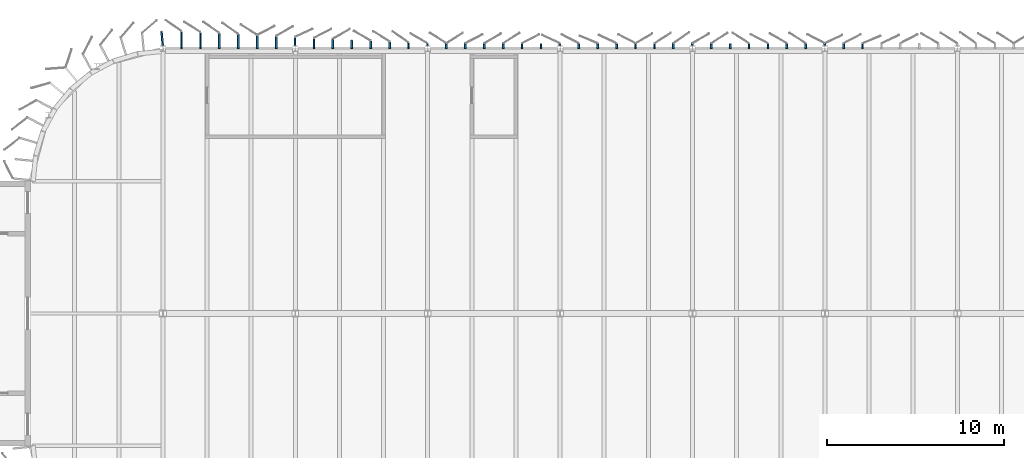
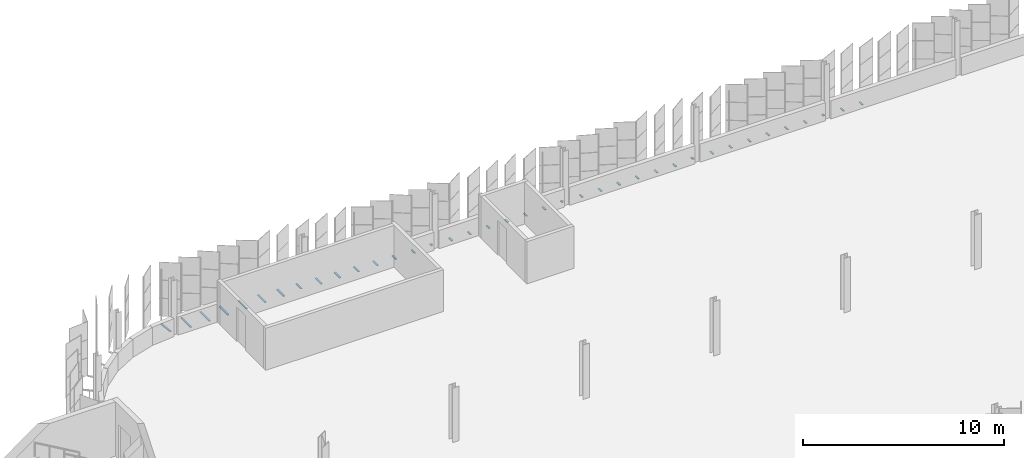
# One storey, part 175 of 199: 38 discrete accessories.
"""IFC4 building model written with IfcOpenShell, lengths in metres."""

from ifc_helpers import new_model, si_unit, direction, frame, origin, origin_2d, place, context, subcontext, project, spatial, rectangle, extrude, material, type_object, element, save


model = new_model("IFC4")

# Units and contexts
model_context = context("Model", 3, precision=1e-05, world=origin(), true_north=direction((0.0, 1.0)))
body_context = subcontext(model_context, "Body", "Model", "MODEL_VIEW")
ifc_project = project(units=[si_unit("LENGTHUNIT", "METRE"), si_unit("AREAUNIT", "SQUARE_METRE"), si_unit("VOLUMEUNIT", "CUBIC_METRE"), si_unit("PLANEANGLEUNIT", "RADIAN"), si_unit("MASSUNIT", "GRAM", prefix="KILO")], contexts=[model_context])

# Site, building, storey
site_placement = place(None, origin())
site = spatial("IfcSite", under=ifc_project, at=site_placement, CompositionType="ELEMENT")
building_placement = place(site_placement, origin())
building = spatial("IfcBuilding", under=site, at=building_placement, Name="Parallax Yard Mobility Hub", CompositionType="ELEMENT")
storey_placement = place(building_placement, frame((0.0, 0.0, 9.89990234375)))
storey = spatial("IfcBuildingStorey", under=building, at=storey_placement, Name="L03", CompositionType="ELEMENT", Elevation=9.89990234375)

# Discrete accessories
ifc_material = material(Name="Steel ASTM A36, hot-dip galvanised", Category="steel")
discrete_accessory_type = type_object("IfcDiscreteAccessoryType", Name="Hinge bracket plate 100x50", PredefinedType="BRACKET", material=ifc_material)
for number, where, z_axis, x_axis, name in (
    (1, (69.632568359375, 142.6416015625, -0.02490234375), (0.0, 0.0, 1.0), (0.0, 1.0, 0.0), "Hinge bracket plate bay 64.6 level L03"),
    (2, (68.56103515625, 142.6416015625, -0.02490234375), (0.0, 0.0, 1.0), (0.0, 1.0, 0.0), "Hinge bracket plate bay 64.7 level L03"),
):
    element("IfcDiscreteAccessory", number, at=place(storey_placement, frame(where, z_axis=z_axis, x_axis=x_axis)), inside=storey, type_object=discrete_accessory_type, Name=name, PredefinedType="BRACKET", context=body_context, shape_type="SweptSolid", body=[
        extrude(rectangle(XDim=0.2841796875, YDim=0.10009765625, at=origin_2d()), origin(), (0.0, 0.0, 1.0), 0.050048828125),
    ])
discrete_accessory_1_placement = place(storey_placement, frame((67.489501953125, 142.71826171875, -0.02490234375), z_axis=(0.0, 0.0, 1.0), x_axis=(0.0, 1.0, 0.0)))
element("IfcDiscreteAccessory", 3, at=discrete_accessory_1_placement, inside=storey, type_object=discrete_accessory_type, Name="Hinge bracket plate bay 65.1 level L03", PredefinedType="BRACKET", context=body_context, shape_type="SweptSolid", body=[
    extrude(rectangle(XDim=0.130615234375, YDim=0.10009765625, at=origin_2d()), origin(), (0.0, 0.0, 1.0), 0.050048828125),
])
for number, where, z_axis, x_axis, name in (
    (4, (66.41796875, 142.6416015625, -0.02490234375), (0.0, 0.0, 1.0), (0.0, 1.0, 0.0), "Hinge bracket plate bay 65.2 level L03"),
    (5, (65.34619140625, 142.6416015625, -0.02490234375), (0.0, 0.0, 1.0), (0.0, 1.0, 0.0), "Hinge bracket plate bay 65.3 level L03"),
    (6, (64.27490234375, 142.6416015625, -0.02490234375), (0.0, 0.0, 1.0), (0.0, 1.0, 0.0), "Hinge bracket plate bay 65.4 level L03"),
    (7, (63.203125, 142.6416015625, -0.02490234375), (0.0, 0.0, 1.0), (0.0, 1.0, 0.0), "Hinge bracket plate bay 65.5 level L03"),
    (8, (62.131591796875, 142.6416015625, -0.02490234375), (0.0, 0.0, 1.0), (0.0, 1.0, 0.0), "Hinge bracket plate bay 65.6 level L03"),
    (9, (61.06005859375, 142.6416015625, -0.02490234375), (0.0, 0.0, 1.0), (0.0, 1.0, 0.0), "Hinge bracket plate bay 65.7 level L03"),
):
    element("IfcDiscreteAccessory", number, at=place(storey_placement, frame(where, z_axis=z_axis, x_axis=x_axis)), inside=storey, type_object=discrete_accessory_type, Name=name, PredefinedType="BRACKET", context=body_context, shape_type="SweptSolid", body=[
        extrude(rectangle(XDim=0.2841796875, YDim=0.10009765625, at=origin_2d()), origin(), (0.0, 0.0, 1.0), 0.050048828125),
    ])
discrete_accessory_2_placement = place(storey_placement, frame((59.988525390625, 142.71826171875, -0.02490234375), z_axis=(0.0, 0.0, 1.0), x_axis=(0.0, 1.0, 0.0)))
element("IfcDiscreteAccessory", 10, at=discrete_accessory_2_placement, inside=storey, type_object=discrete_accessory_type, Name="Hinge bracket plate bay 66.1 level L03", PredefinedType="BRACKET", context=body_context, shape_type="SweptSolid", body=[
    extrude(rectangle(XDim=0.130615234375, YDim=0.10009765625, at=origin_2d()), origin(), (0.0, 0.0, 1.0), 0.050048828125),
])
for number, where, z_axis, x_axis, name in (
    (11, (58.9169921875, 142.6416015625, -0.02490234375), (0.0, 0.0, 1.0), (0.0, 1.0, 0.0), "Hinge bracket plate bay 66.2 level L03"),
    (12, (57.845458984375, 142.6416015625, -0.02490234375), (0.0, 0.0, 1.0), (0.0, 1.0, 0.0), "Hinge bracket plate bay 66.3 level L03"),
    (13, (56.77392578125, 142.6416015625, -0.02490234375), (0.0, 0.0, 1.0), (0.0, 1.0, 0.0), "Hinge bracket plate bay 66.4 level L03"),
    (14, (55.702392578125, 142.6416015625, -0.02490234375), (0.0, 0.0, 1.0), (0.0, 1.0, 0.0), "Hinge bracket plate bay 66.5 level L03"),
    (15, (54.630859375, 142.6416015625, -0.02490234375), (0.0, 0.0, 1.0), (0.0, 1.0, 0.0), "Hinge bracket plate bay 66.6 level L03"),
    (16, (53.55908203125, 142.6416015625, -0.02490234375), (0.0, 0.0, 1.0), (0.0, 1.0, 0.0), "Hinge bracket plate bay 66.7 level L03"),
):
    element("IfcDiscreteAccessory", number, at=place(storey_placement, frame(where, z_axis=z_axis, x_axis=x_axis)), inside=storey, type_object=discrete_accessory_type, Name=name, PredefinedType="BRACKET", context=body_context, shape_type="SweptSolid", body=[
        extrude(rectangle(XDim=0.2841796875, YDim=0.10009765625, at=origin_2d()), origin(), (0.0, 0.0, 1.0), 0.050048828125),
    ])
discrete_accessory_3_placement = place(storey_placement, frame((52.48779296875, 142.71826171875, -0.02490234375), z_axis=(0.0, 0.0, 1.0), x_axis=(0.0, 1.0, 0.0)))
element("IfcDiscreteAccessory", 17, at=discrete_accessory_3_placement, inside=storey, type_object=discrete_accessory_type, Name="Hinge bracket plate bay 67.1 level L03", PredefinedType="BRACKET", context=body_context, shape_type="SweptSolid", body=[
    extrude(rectangle(XDim=0.130615234375, YDim=0.10009765625, at=origin_2d()), origin(), (0.0, 0.0, 1.0), 0.050048828125),
])
for number, where, z_axis, x_axis, name in (
    (18, (51.416015625, 142.6416015625, -0.02490234375), (0.0, 0.0, 1.0), (0.0, 1.0, 0.0), "Hinge bracket plate bay 67.2 level L03"),
    (19, (50.344482421875, 142.6416015625, -0.02490234375), (0.0, 0.0, 1.0), (0.0, 1.0, 0.0), "Hinge bracket plate bay 67.3 level L03"),
    (20, (49.27294921875, 142.6416015625, -0.02490234375), (0.0, 0.0, 1.0), (0.0, 1.0, 0.0), "Hinge bracket plate bay 67.4 level L03"),
    (21, (48.201416015625, 142.6416015625, -0.02490234375), (0.0, 0.0, 1.0), (0.0, 1.0, 0.0), "Hinge bracket plate bay 67.5 level L03"),
    (22, (47.1298828125, 142.6416015625, -0.02490234375), (0.0, 0.0, 1.0), (0.0, 1.0, 0.0), "Hinge bracket plate bay 67.6 level L03"),
    (23, (46.058349609375, 142.6416015625, -0.02490234375), (0.0, 0.0, 1.0), (0.0, 1.0, 0.0), "Hinge bracket plate bay 67.7 level L03"),
):
    element("IfcDiscreteAccessory", number, at=place(storey_placement, frame(where, z_axis=z_axis, x_axis=x_axis)), inside=storey, type_object=discrete_accessory_type, Name=name, PredefinedType="BRACKET", context=body_context, shape_type="SweptSolid", body=[
        extrude(rectangle(XDim=0.2841796875, YDim=0.10009765625, at=origin_2d()), origin(), (0.0, 0.0, 1.0), 0.050048828125),
    ])
discrete_accessory_4_placement = place(storey_placement, frame((44.98681640625, 142.71826171875, -0.02490234375), z_axis=(0.0, 0.0, 1.0), x_axis=(0.0, 1.0, 0.0)))
element("IfcDiscreteAccessory", 24, at=discrete_accessory_4_placement, inside=storey, type_object=discrete_accessory_type, Name="Hinge bracket plate bay 68.1 level L03", PredefinedType="BRACKET", context=body_context, shape_type="SweptSolid", body=[
    extrude(rectangle(XDim=0.130615234375, YDim=0.10009765625, at=origin_2d()), origin(), (0.0, 0.0, 1.0), 0.050048828125),
])
discrete_accessory_5_placement = place(storey_placement, frame((43.915283203125, 142.662109375, -0.02490234375), z_axis=(0.0, 0.0, 1.0), x_axis=(0.0, 1.0, 0.0)))
element("IfcDiscreteAccessory", 25, at=discrete_accessory_5_placement, inside=storey, type_object=discrete_accessory_type, Name="Hinge bracket plate bay 68.2 level L03", PredefinedType="BRACKET", context=body_context, shape_type="SweptSolid", body=[
    extrude(rectangle(XDim=0.3251953125, YDim=0.10009765625, at=origin_2d()), origin(), (0.0, 0.0, 1.0), 0.050048828125),
])
discrete_accessory_6_placement = place(storey_placement, frame((42.84375, 142.68896484375, -0.02490234375), z_axis=(0.0, 0.0, 1.0), x_axis=(0.0, 1.0, 0.0)))
element("IfcDiscreteAccessory", 26, at=discrete_accessory_6_placement, inside=storey, type_object=discrete_accessory_type, Name="Hinge bracket plate bay 68.3 level L03", PredefinedType="BRACKET", context=body_context, shape_type="SweptSolid", body=[
    extrude(rectangle(XDim=0.37890625, YDim=0.10009765625, at=origin_2d()), origin(), (0.0, 0.0, 1.0), 0.050048828125),
])
discrete_accessory_7_placement = place(storey_placement, frame((41.772216796875, 142.7158203125, -0.02490234375), z_axis=(0.0, 0.0, 1.0), x_axis=(0.0, 1.0, 0.0)))
element("IfcDiscreteAccessory", 27, at=discrete_accessory_7_placement, inside=storey, type_object=discrete_accessory_type, Name="Hinge bracket plate bay 68.4 level L03", PredefinedType="BRACKET", context=body_context, shape_type="SweptSolid", body=[
    extrude(rectangle(XDim=0.432373046875, YDim=0.10009765625, at=origin_2d()), origin(), (0.0, 0.0, 1.0), 0.050048828125),
])
discrete_accessory_8_placement = place(storey_placement, frame((40.700439453125, 142.742431640625, -0.02490234375), z_axis=(0.0, 0.0, 1.0), x_axis=(0.0, 1.0, 0.0)))
element("IfcDiscreteAccessory", 28, at=discrete_accessory_8_placement, inside=storey, type_object=discrete_accessory_type, Name="Hinge bracket plate bay 68.5 level L03", PredefinedType="BRACKET", context=body_context, shape_type="SweptSolid", body=[
    extrude(rectangle(XDim=0.48583984375, YDim=0.10009765625, at=origin_2d()), origin(), (0.0, 0.0, 1.0), 0.050048828125),
])
discrete_accessory_9_placement = place(storey_placement, frame((39.62890625, 142.769287109375, -0.02490234375), z_axis=(0.0, 0.0, 1.0), x_axis=(0.0, 1.0, 0.0)))
element("IfcDiscreteAccessory", 29, at=discrete_accessory_9_placement, inside=storey, type_object=discrete_accessory_type, Name="Hinge bracket plate bay 68.6 level L03", PredefinedType="BRACKET", context=body_context, shape_type="SweptSolid", body=[
    extrude(rectangle(XDim=0.53955078125, YDim=0.10009765625, at=origin_2d()), origin(), (0.0, 0.0, 1.0), 0.050048828125),
])
discrete_accessory_10_placement = place(storey_placement, frame((38.557373046875, 142.7958984375, -0.02490234375), z_axis=(0.0, 0.0, 1.0), x_axis=(0.0, 1.0, 0.0)))
element("IfcDiscreteAccessory", 30, at=discrete_accessory_10_placement, inside=storey, type_object=discrete_accessory_type, Name="Hinge bracket plate bay 68.7 level L03", PredefinedType="BRACKET", context=body_context, shape_type="SweptSolid", body=[
    extrude(rectangle(XDim=0.593017578125, YDim=0.10009765625, at=origin_2d()), origin(), (0.0, 0.0, 1.0), 0.050048828125),
])
discrete_accessory_11_placement = place(storey_placement, frame((37.48583984375, 142.899658203125, -0.02490234375), z_axis=(0.0, 0.0, 1.0), x_axis=(0.0, 1.0, 0.0)))
element("IfcDiscreteAccessory", 31, at=discrete_accessory_11_placement, inside=storey, type_object=discrete_accessory_type, Name="Hinge bracket plate bay 69.1 level L03", PredefinedType="BRACKET", context=body_context, shape_type="SweptSolid", body=[
    extrude(rectangle(XDim=0.4931640625, YDim=0.10009765625, at=origin_2d()), origin(), (0.0, 0.0, 1.0), 0.050048828125),
])
discrete_accessory_12_placement = place(storey_placement, frame((36.414306640625, 142.849609375, -0.02490234375), z_axis=(0.0, 0.0, 1.0), x_axis=(0.0, 1.0, 0.0)))
element("IfcDiscreteAccessory", 32, at=discrete_accessory_12_placement, inside=storey, type_object=discrete_accessory_type, Name="Hinge bracket plate bay 69.2 level L03", PredefinedType="BRACKET", context=body_context, shape_type="SweptSolid", body=[
    extrude(rectangle(XDim=0.7001953125, YDim=0.10009765625, at=origin_2d()), origin(), (0.0, 0.0, 1.0), 0.050048828125),
])
discrete_accessory_13_placement = place(storey_placement, frame((35.3427734375, 142.87646484375, -0.02490234375), z_axis=(0.0, 0.0, 1.0), x_axis=(0.0, 1.0, 0.0)))
element("IfcDiscreteAccessory", 33, at=discrete_accessory_13_placement, inside=storey, type_object=discrete_accessory_type, Name="Hinge bracket plate bay 69.3 level L03", PredefinedType="BRACKET", context=body_context, shape_type="SweptSolid", body=[
    extrude(rectangle(XDim=0.75390625, YDim=0.10009765625, at=origin_2d()), origin(), (0.0, 0.0, 1.0), 0.050048828125),
])
discrete_accessory_14_placement = place(storey_placement, frame((34.271240234375, 142.9033203125, -0.02490234375), z_axis=(0.0, 0.0, 1.0), x_axis=(0.0, 1.0, 0.0)))
element("IfcDiscreteAccessory", 34, at=discrete_accessory_14_placement, inside=storey, type_object=discrete_accessory_type, Name="Hinge bracket plate bay 69.4 level L03", PredefinedType="BRACKET", context=body_context, shape_type="SweptSolid", body=[
    extrude(rectangle(XDim=0.807373046875, YDim=0.10009765625, at=origin_2d()), origin(), (0.0, 0.0, 1.0), 0.050048828125),
])
discrete_accessory_15_placement = place(storey_placement, frame((33.19970703125, 142.929931640625, -0.02490234375), z_axis=(0.0, 0.0, 1.0), x_axis=(0.0, 1.0, 0.0)))
element("IfcDiscreteAccessory", 35, at=discrete_accessory_15_placement, inside=storey, type_object=discrete_accessory_type, Name="Hinge bracket plate bay 69.5 level L03", PredefinedType="BRACKET", context=body_context, shape_type="SweptSolid", body=[
    extrude(rectangle(XDim=0.86083984375, YDim=0.10009765625, at=origin_2d()), origin(), (0.0, 0.0, 1.0), 0.050048828125),
])
discrete_accessory_16_placement = place(storey_placement, frame((32.128173828125, 142.956787109375, -0.02490234375), z_axis=(0.0, 0.0, 1.0), x_axis=(0.0, 1.0, 0.0)))
element("IfcDiscreteAccessory", 36, at=discrete_accessory_16_placement, inside=storey, type_object=discrete_accessory_type, Name="Hinge bracket plate bay 69.6 level L03", PredefinedType="BRACKET", context=body_context, shape_type="SweptSolid", body=[
    extrude(rectangle(XDim=0.91455078125, YDim=0.10009765625, at=origin_2d()), origin(), (0.0, 0.0, 1.0), 0.050048828125),
])
discrete_accessory_17_placement = place(storey_placement, frame((31.056396484375, 142.9833984375, -0.02490234375), z_axis=(0.0, 0.0, 1.0), x_axis=(0.0, 1.0, 0.0)))
element("IfcDiscreteAccessory", 37, at=discrete_accessory_17_placement, inside=storey, type_object=discrete_accessory_type, Name="Hinge bracket plate bay 69.7 level L03", PredefinedType="BRACKET", context=body_context, shape_type="SweptSolid", body=[
    extrude(rectangle(XDim=0.968017578125, YDim=0.10009765625, at=origin_2d()), origin(), (0.0, 0.0, 1.0), 0.050048828125),
])
discrete_accessory_18_placement = place(storey_placement, frame((29.957763671875, 143.076904296875, -0.02490234375), z_axis=(0.0, 0.0, 1.0), x_axis=(-0.09801714033, 0.995184726672, 0.0)))
element("IfcDiscreteAccessory", 38, at=discrete_accessory_18_placement, inside=storey, type_object=discrete_accessory_type, Name="Hinge bracket plate bay 70.1 level L03", PredefinedType="BRACKET", context=body_context, shape_type="SweptSolid", body=[
    extrude(rectangle(XDim=0.810791015625, YDim=0.10009765625, at=origin_2d()), origin(), (0.0, 0.0, 1.0), 0.050048828125),
])

save(model, "model.ifc")
